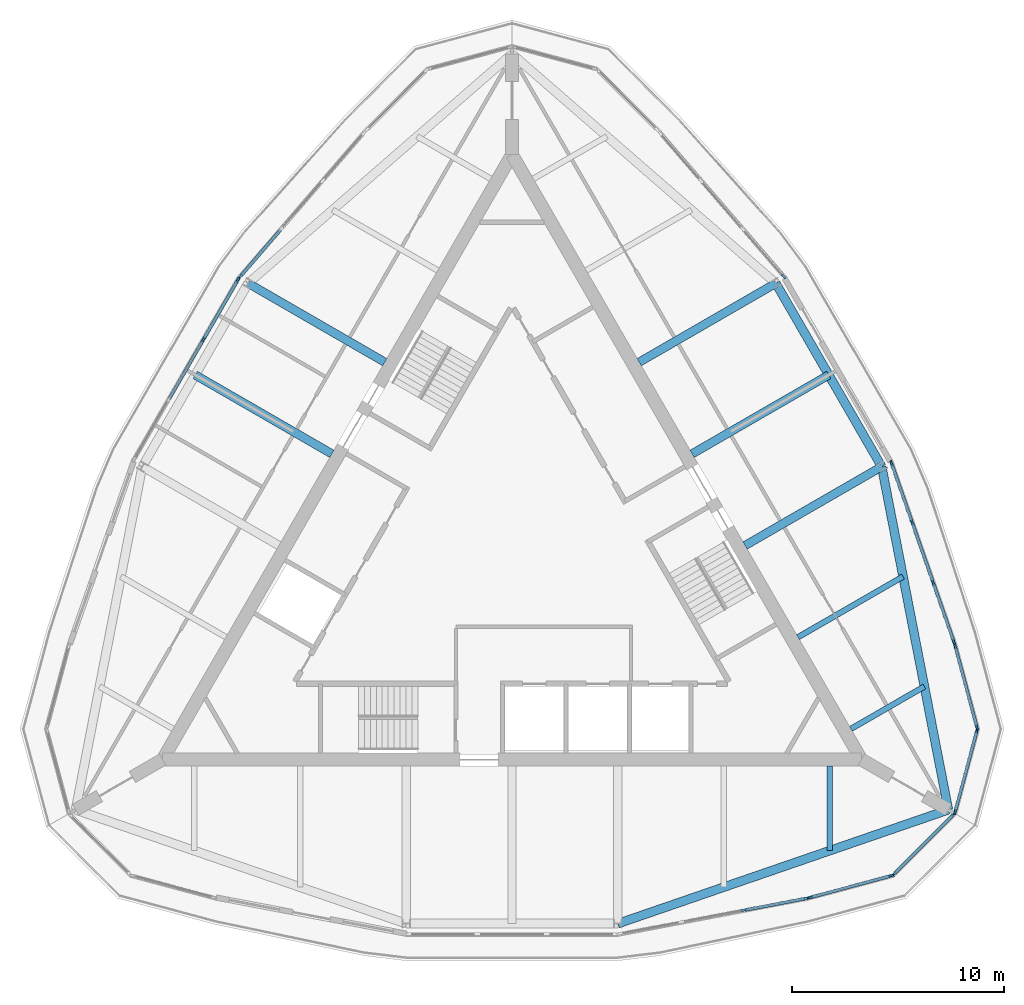
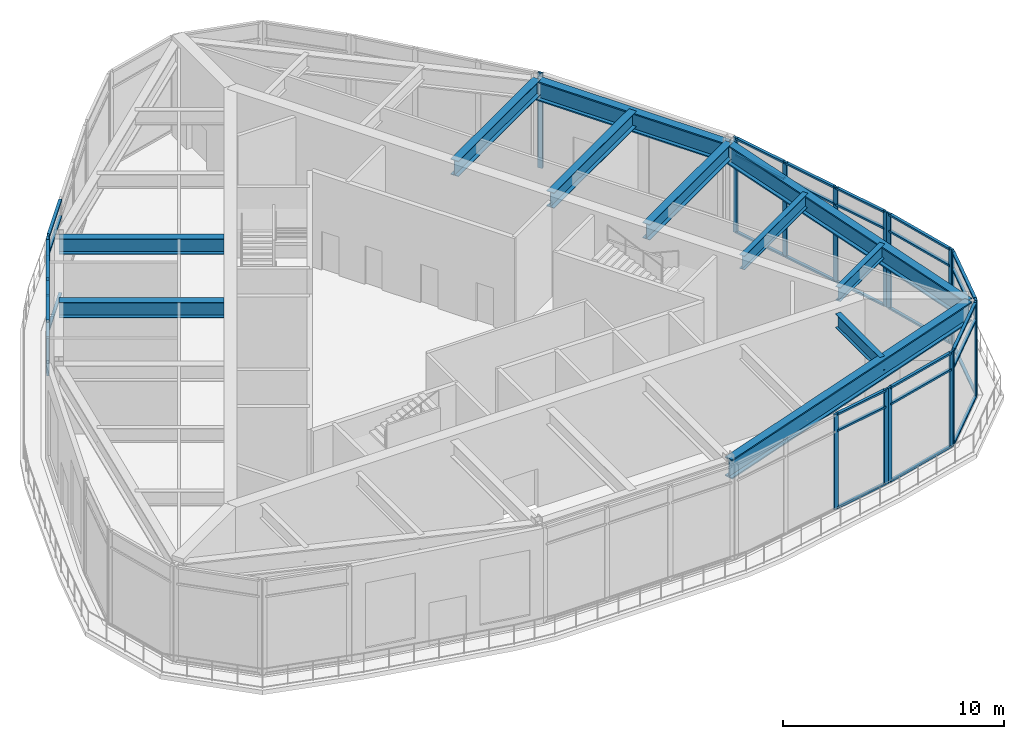
# One storey, part 2 of 9: 50 members, 11 beams, 9 elements without a shape of their own.
"""IFC4 building model written with IfcOpenShell, lengths in metres."""

from ifc_helpers import new_model, si_unit, direction, frame, origin, origin_2d, place, context, subcontext, project, spatial, rectangle, i_section, extrude, material, material_profile, profile_set, type_object, element, aggregate, save


model = new_model("IFC4")

# Units and contexts
model_context = context("Model", 3, precision=1e-05, world=origin(), true_north=direction((0.0, 1.0)))
body_context = subcontext(model_context, "Body", "Model", "MODEL_VIEW")
ifc_project = project(units=[si_unit("LENGTHUNIT", "METRE"), si_unit("AREAUNIT", "SQUARE_METRE"), si_unit("VOLUMEUNIT", "CUBIC_METRE"), si_unit("PLANEANGLEUNIT", "RADIAN"), si_unit("MASSUNIT", "GRAM", prefix="KILO")], contexts=[model_context])

# Site, building, storey
site_placement = place(None, origin())
site = spatial("IfcSite", under=ifc_project, at=site_placement, CompositionType="ELEMENT")
building_placement = place(site_placement, origin())
building = spatial("IfcBuilding", under=site, at=building_placement, Name="Trikona Tower", CompositionType="ELEMENT")
storey_placement = place(building_placement, frame((0.0, 0.0, 281.300048828125)))
storey = spatial("IfcBuildingStorey", under=building, at=storey_placement, Name="L74", CompositionType="ELEMENT", Elevation=281.300048828125)

# Curtain wall, members
ifc_material_1 = material(Name="Aluminium curtain wall system", Category="aluminium")
curtain_wall_type = type_object("IfcCurtainWallType", Name="Curtain wall OB", PredefinedType="NOTDEFINED", material=ifc_material_1)
curtain_wall_1_placement = place(storey_placement, origin())
curtain_wall_1 = element("IfcCurtainWall", 1, at=curtain_wall_1_placement, inside=storey, type_object=curtain_wall_type, Name="Curtain wall OB L74", PredefinedType="NOTDEFINED")
ifc_material_2 = material(Name="Aluminium mullion, pale anodised", Category="aluminium")
ifc_material_profile_1 = material_profile(ifc_material_2, rectangle(XDim=0.10009765625, YDim=0.25, at=origin_2d()), Name="MUL-OB")
ifc_profile_set_1 = profile_set([ifc_material_profile_1], Name="Aluminium mullion, pale anodised")
member_type_1 = type_object("IfcMemberType", Name="Mullion OB 100x250", PredefinedType="MULLION", material=ifc_profile_set_1)
member_1_placement = place(storey_placement, frame((10.961669921875, -16.641357421875, 0.0), z_axis=(0.0, 0.0, 1.0), x_axis=(-0.186660752571, 0.982424431419, 0.0)))
member_1 = element("IfcMember", 2, at=member_1_placement, type_object=member_type_1, Name="CW-OB mullion 3", PredefinedType="MULLION", context=body_context, shape_type="SweptSolid", body=[
    extrude(rectangle(XDim=0.10009765625, YDim=0.25, at=origin_2d()), origin(), (0.0, 0.0, 1.0), 5.25),
])
member_2_placement = place(storey_placement, frame((13.873291015625, -16.088134765625, 0.0), z_axis=(0.0, 0.0, 1.0), x_axis=(-0.186660752571, 0.982424431419, 0.0)))
member_2 = element("IfcMember", 3, at=member_2_placement, type_object=member_type_1, Name="CW-OB mullion 4", PredefinedType="MULLION", context=body_context, shape_type="SweptSolid", body=[
    extrude(rectangle(XDim=0.10009765625, YDim=0.25, at=origin_2d()), origin(), (0.0, 0.0, 1.0), 5.25),
])

curtain_wall_2_placement = place(storey_placement, origin())
curtain_wall_2 = element("IfcCurtainWall", 4, at=curtain_wall_2_placement, inside=storey, type_object=curtain_wall_type, Name="Curtain wall OB L74", PredefinedType="NOTDEFINED")
member_3_placement = place(storey_placement, frame((14.080322265625, -16.040771484375, 0.0), z_axis=(0.0, 0.0, 1.0), x_axis=(-0.258827918204, 0.965923448705, 0.0)))
member_3 = element("IfcMember", 5, at=member_3_placement, type_object=member_type_1, Name="CW-OB mullion 1", PredefinedType="MULLION", context=body_context, shape_type="SweptSolid", body=[
    extrude(rectangle(XDim=0.10009765625, YDim=0.25, at=origin_2d()), origin(), (0.0, 0.0, 1.0), 5.25),
])
member_4_placement = place(storey_placement, frame((17.909423828125, -15.0146484375, 0.0), z_axis=(0.0, 0.0, 1.0), x_axis=(-0.258827918204, 0.965923448705, 0.0)))
member_4 = element("IfcMember", 6, at=member_4_placement, type_object=member_type_1, Name="CW-OB mullion 2", PredefinedType="MULLION", context=body_context, shape_type="SweptSolid", body=[
    extrude(rectangle(XDim=0.10009765625, YDim=0.25, at=origin_2d()), origin(), (0.0, 0.0, 1.0), 5.25),
])

curtain_wall_3_placement = place(storey_placement, origin())
curtain_wall_3 = element("IfcCurtainWall", 7, at=curtain_wall_3_placement, inside=storey, type_object=curtain_wall_type, Name="Curtain wall OB L74", PredefinedType="NOTDEFINED")
member_5_placement = place(storey_placement, frame((18.048583984375, -14.934326171875, 0.0), z_axis=(0.0, 0.0, 1.0), x_axis=(-0.707106781187, 0.707106781187, 0.0)))
member_5 = element("IfcMember", 8, at=member_5_placement, type_object=member_type_1, Name="CW-OB mullion 1", PredefinedType="MULLION", context=body_context, shape_type="SweptSolid", body=[
    extrude(rectangle(XDim=0.10009765625, YDim=0.25, at=origin_2d()), origin(), (0.0, 0.0, 1.0), 5.25),
])
member_6_placement = place(storey_placement, frame((20.8515625, -12.13134765625, 0.0), z_axis=(0.0, 0.0, 1.0), x_axis=(-0.707106781187, 0.707106781187, 0.0)))
member_6 = element("IfcMember", 9, at=member_6_placement, type_object=member_type_1, Name="CW-OB mullion 2", PredefinedType="MULLION", context=body_context, shape_type="SweptSolid", body=[
    extrude(rectangle(XDim=0.10009765625, YDim=0.25, at=origin_2d()), origin(), (0.0, 0.0, 1.0), 5.25),
])

curtain_wall_4_placement = place(storey_placement, origin())
curtain_wall_4 = element("IfcCurtainWall", 10, at=curtain_wall_4_placement, inside=storey, type_object=curtain_wall_type, Name="Curtain wall OB L74", PredefinedType="NOTDEFINED")
member_7_placement = place(storey_placement, frame((20.931884765625, -11.9921875, 0.0), z_axis=(0.0, 0.0, 1.0), x_axis=(-0.965923448705, 0.258827918204, 0.0)))
member_7 = element("IfcMember", 11, at=member_7_placement, type_object=member_type_1, Name="CW-OB mullion 1", PredefinedType="MULLION", context=body_context, shape_type="SweptSolid", body=[
    extrude(rectangle(XDim=0.10009765625, YDim=0.25, at=origin_2d()), origin(), (0.0, 0.0, 1.0), 5.25),
])
member_8_placement = place(storey_placement, frame((21.957763671875, -8.163330078125, 0.0), z_axis=(0.0, 0.0, 1.0), x_axis=(-0.965923448705, 0.258827918204, 0.0)))
member_8 = element("IfcMember", 12, at=member_8_placement, type_object=member_type_1, Name="CW-OB mullion 2", PredefinedType="MULLION", context=body_context, shape_type="SweptSolid", body=[
    extrude(rectangle(XDim=0.10009765625, YDim=0.25, at=origin_2d()), origin(), (0.0, 0.0, 1.0), 5.25),
])

curtain_wall_5_placement = place(storey_placement, origin())
curtain_wall_5 = element("IfcCurtainWall", 13, at=curtain_wall_5_placement, inside=storey, type_object=curtain_wall_type, Name="Curtain wall OB L74", PredefinedType="NOTDEFINED")
member_9_placement = place(storey_placement, frame((21.957763671875, -8.00244140625, 0.0), z_axis=(0.0, 0.0, 1.0), x_axis=(-0.965921800259, -0.258834069983, 0.0)))
member_9 = element("IfcMember", 14, at=member_9_placement, type_object=member_type_1, Name="CW-OB mullion 1", PredefinedType="MULLION", context=body_context, shape_type="SweptSolid", body=[
    extrude(rectangle(XDim=0.10009765625, YDim=0.25, at=origin_2d()), origin(), (0.0, 0.0, 1.0), 5.25),
])
member_10_placement = place(storey_placement, frame((20.931884765625, -4.173583984375, 0.0), z_axis=(0.0, 0.0, 1.0), x_axis=(-0.965921800259, -0.258834069983, 0.0)))
member_10 = element("IfcMember", 15, at=member_10_placement, type_object=member_type_1, Name="CW-OB mullion 2", PredefinedType="MULLION", context=body_context, shape_type="SweptSolid", body=[
    extrude(rectangle(XDim=0.10009765625, YDim=0.25, at=origin_2d()), origin(), (0.0, 0.0, 1.0), 5.25),
])

curtain_wall_6_placement = place(storey_placement, origin())
curtain_wall_6 = element("IfcCurtainWall", 16, at=curtain_wall_6_placement, inside=storey, type_object=curtain_wall_type, Name="Curtain wall OB L74", PredefinedType="NOTDEFINED")
member_11_placement = place(storey_placement, frame((20.869384765625, -3.970703125, 0.0), z_axis=(0.0, 0.0, 1.0), x_axis=(-0.944137368145, -0.329552165935, 0.0)))
member_11 = element("IfcMember", 17, at=member_11_placement, type_object=member_type_1, Name="CW-OB mullion 1", PredefinedType="MULLION", context=body_context, shape_type="SweptSolid", body=[
    extrude(rectangle(XDim=0.10009765625, YDim=0.25, at=origin_2d()), origin(), (0.0, 0.0, 1.0), 5.25),
])
member_12_placement = place(storey_placement, frame((19.892578125, -1.17236328125, 0.0), z_axis=(0.0, 0.0, 1.0), x_axis=(-0.944137368145, -0.329552165935, 0.0)))
member_12 = element("IfcMember", 18, at=member_12_placement, type_object=member_type_1, Name="CW-OB mullion 2", PredefinedType="MULLION", context=body_context, shape_type="SweptSolid", body=[
    extrude(rectangle(XDim=0.10009765625, YDim=0.25, at=origin_2d()), origin(), (0.0, 0.0, 1.0), 5.25),
])
member_13_placement = place(storey_placement, frame((18.8994140625, 1.6728515625, 0.0), z_axis=(0.0, 0.0, 1.0), x_axis=(-0.944137368145, -0.329552165935, 0.0)))
member_13 = element("IfcMember", 19, at=member_13_placement, type_object=member_type_1, Name="CW-OB mullion 3", PredefinedType="MULLION", context=body_context, shape_type="SweptSolid", body=[
    extrude(rectangle(XDim=0.10009765625, YDim=0.25, at=origin_2d()), origin(), (0.0, 0.0, 1.0), 5.25),
])
member_14_placement = place(storey_placement, frame((17.9228515625, 4.470947265625, 0.0), z_axis=(0.0, 0.0, 1.0), x_axis=(-0.944137368145, -0.329552165935, 0.0)))
member_14 = element("IfcMember", 20, at=member_14_placement, type_object=member_type_1, Name="CW-OB mullion 4", PredefinedType="MULLION", context=body_context, shape_type="SweptSolid", body=[
    extrude(rectangle(XDim=0.10009765625, YDim=0.25, at=origin_2d()), origin(), (0.0, 0.0, 1.0), 5.25),
])

# Curtain wall, member
curtain_wall_7_placement = place(storey_placement, origin())
curtain_wall_7 = element("IfcCurtainWall", 21, at=curtain_wall_7_placement, inside=storey, type_object=curtain_wall_type, Name="Curtain wall OB L74", PredefinedType="NOTDEFINED")
member_15_placement = place(storey_placement, frame((12.833251953125, 13.2861328125, 0.0), z_axis=(0.0, 0.0, 1.0), x_axis=(-0.757475219973, -0.652863914707, 0.0)))
member_15 = element("IfcMember", 22, at=member_15_placement, type_object=member_type_1, Name="CW-OB mullion 1", PredefinedType="MULLION", context=body_context, shape_type="SweptSolid", body=[
    extrude(rectangle(XDim=0.10009765625, YDim=0.25, at=origin_2d()), origin(), (0.0, 0.0, 1.0), 5.25),
])
aggregate(curtain_wall_7, [member_15])

curtain_wall_8_placement = place(storey_placement, origin())
curtain_wall_8 = element("IfcCurtainWall", 23, at=curtain_wall_8_placement, inside=storey, type_object=curtain_wall_type, Name="Curtain wall OB L74", PredefinedType="NOTDEFINED")
member_16_placement = place(storey_placement, frame((-12.833251953125, 13.2861328125, 0.0), z_axis=(0.0, 0.0, 1.0), x_axis=(0.757475219973, -0.652863914707, 0.0)))
member_16 = element("IfcMember", 24, at=member_16_placement, type_object=member_type_1, Name="CW-OB mullion 4", PredefinedType="MULLION", context=body_context, shape_type="SweptSolid", body=[
    extrude(rectangle(XDim=0.10009765625, YDim=0.25, at=origin_2d()), origin(), (0.0, 0.0, 1.0), 5.25),
])

# Curtain wall, members
curtain_wall_9_placement = place(storey_placement, origin())
curtain_wall_9 = element("IfcCurtainWall", 25, at=curtain_wall_9_placement, inside=storey, type_object=curtain_wall_type, Name="Curtain wall OB L74", PredefinedType="NOTDEFINED")
member_17_placement = place(storey_placement, frame((-12.94921875, 13.122802734375, 0.0), z_axis=(0.0, 0.0, 1.0), x_axis=(0.866022089219, -0.500005740951, 0.0)))
member_17 = element("IfcMember", 26, at=member_17_placement, type_object=member_type_1, Name="CW-OB mullion 1", PredefinedType="MULLION", context=body_context, shape_type="SweptSolid", body=[
    extrude(rectangle(XDim=0.10009765625, YDim=0.25, at=origin_2d()), origin(), (0.0, 0.0, 1.0), 5.25),
])
member_18_placement = place(storey_placement, frame((-14.571044921875, 10.31396484375, 0.0), z_axis=(0.0, 0.0, 1.0), x_axis=(0.866022089219, -0.500005740951, 0.0)))
member_18 = element("IfcMember", 27, at=member_18_placement, type_object=member_type_1, Name="CW-OB mullion 2", PredefinedType="MULLION", context=body_context, shape_type="SweptSolid", body=[
    extrude(rectangle(XDim=0.10009765625, YDim=0.25, at=origin_2d()), origin(), (0.0, 0.0, 1.0), 5.25),
])

# Beams
ifc_material_3 = material(Name="Steel ASTM A992 Grade 50", Category="steel")
ifc_material_profile_2 = material_profile(ifc_material_3, i_section(OverallWidth=0.2666015625, OverallDepth=0.76953125, WebThickness=0.015625, FlangeThickness=0.025390625, at=origin_2d()), Name="W30X132")
ifc_profile_set_2 = profile_set([ifc_material_profile_2], Name="Steel ASTM A992 Grade 50")
beam_type_1 = type_object("IfcBeamType", Name="Steel beam W30x132 (wedge)", PredefinedType="BEAM", material=ifc_profile_set_2)
beam_1_placement = place(storey_placement, frame((15.0, -9.826416015625, 4.865234375), z_axis=(0.0, -1.0, 0.0), x_axis=(1.0, 0.0, 0.0)))
element("IfcBeam", 28, at=beam_1_placement, inside=storey, type_object=beam_type_1, Name="Floor beam L75 F1 u15", PredefinedType="BEAM", context=body_context, shape_type="SweptSolid", body=[
    extrude(i_section(OverallWidth=0.2666015625, OverallDepth=0.76953125, WebThickness=0.015625, FlangeThickness=0.025390625, at=origin_2d()), origin(), (0.0, 0.0, 1.0), 4.005126953125),
])
beam_2_placement = place(storey_placement, frame((16.009765625, -8.077392578125, 4.865234375), z_axis=(0.866025209122, 0.500000337164, 0.0), x_axis=(-0.500000337164, 0.866025209122, 0.0)))
element("IfcBeam", 29, at=beam_2_placement, inside=storey, type_object=beam_type_1, Name="Floor beam L75 F2 u-15", PredefinedType="BEAM", context=body_context, shape_type="SweptSolid", body=[
    extrude(i_section(OverallWidth=0.2666015625, OverallDepth=0.76953125, WebThickness=0.015625, FlangeThickness=0.025390625, at=origin_2d()), origin(), (0.0, 0.0, 1.0), 4.00537109375),
])
beam_3_placement = place(storey_placement, frame((13.509765625, -3.7470703125, 4.865234375), z_axis=(0.866025872957, 0.499999187369, 0.0), x_axis=(-0.499999187369, 0.866025872957, 0.0)))
element("IfcBeam", 30, at=beam_3_placement, inside=storey, type_object=beam_type_1, Name="Floor beam L75 F2 u-10", PredefinedType="BEAM", context=body_context, shape_type="SweptSolid", body=[
    extrude(i_section(OverallWidth=0.2666015625, OverallDepth=0.76953125, WebThickness=0.015625, FlangeThickness=0.025390625, at=origin_2d()), origin(), (0.0, 0.0, 1.0), 5.7275390625),
])
ifc_material_4 = material(Name="Steel ASTM A992 Grade 50", Category="steel")
ifc_material_profile_3 = material_profile(ifc_material_4, i_section(OverallWidth=0.398681640625, OverallDepth=0.85595703125, WebThickness=0.01806640625, FlangeThickness=0.029296875, at=origin_2d()), Name="W33X201")
ifc_profile_set_3 = profile_set([ifc_material_profile_3], Name="Steel ASTM A992 Grade 50")
beam_type_2 = type_object("IfcBeamType", Name="Steel beam W33x201 (top)", PredefinedType="BEAM", material=ifc_profile_set_3)
for number, where, z_axis, x_axis, name in (
    (31, (11.009765625, 0.5830078125, 4.822021484375), (0.866018036629, 0.50001276007, 0.0), (-0.50001276007, 0.866018036629, 0.0), "Floor beam L75 F2 u-5"),
    (32, (8.509765625, 4.9130859375, 4.822021484375), (0.866018036629, 0.50001276007, 0.0), (-0.50001276007, 0.866018036629, 0.0), "Floor beam L75 F2 u0"),
    (33, (6.009765625, 9.243408203125, 4.822021484375), (0.866032227741, 0.499988180375, 0.0), (-0.499988180375, 0.866032227741, 0.0), "Floor beam L75 F2 u5"),
    (34, (-6.009765625, 9.243408203125, 4.822021484375), (-0.866032227741, 0.499988180375, 0.0), (-0.499988180375, -0.866032227741, 0.0), "Floor beam L75 F3 u-5"),
    (35, (-8.509765625, 4.9130859375, 4.822021484375), (-0.866018036629, 0.50001276007, 0.0), (-0.50001276007, -0.866018036629, 0.0), "Floor beam L75 F3 u0"),
):
    element("IfcBeam", number, at=place(storey_placement, frame(where, z_axis=z_axis, x_axis=x_axis)), inside=storey, type_object=beam_type_2, Name=name, PredefinedType="BEAM", context=body_context, shape_type="SweptSolid", body=[
        extrude(i_section(OverallWidth=0.398681640625, OverallDepth=0.85595703125, WebThickness=0.01806640625, FlangeThickness=0.029296875, at=origin_2d()), origin(), (0.0, 0.0, 1.0), 7.449462890625),
    ])
ifc_material_5 = material(Name="Steel ASTM A992 Grade 50", Category="steel")
ifc_material_profile_4 = material_profile(ifc_material_5, i_section(OverallWidth=0.41650390625, OverallDepth=1.0693359375, WebThickness=0.0390625, FlangeThickness=0.070068359375, at=origin_2d()), Name="W40X503")
ifc_profile_set_4 = profile_set([ifc_material_profile_4], Name="Steel ASTM A992 Grade 50")
beam_type_3 = type_object("IfcBeamType", Name="Steel beam W40x503 (crown spandrel)", PredefinedType="SPANDREL", material=ifc_profile_set_4)
beam_4_placement = place(storey_placement, frame((5.0, -17.27587890625, 4.71533203125), z_axis=(0.945492661054, 0.325643406033, 0.0), x_axis=(-0.325643406033, 0.945492661054, 0.0)))
element("IfcBeam", 36, at=beam_4_placement, inside=storey, type_object=beam_type_3, Name="Spandrel beam L75 F1-3", PredefinedType="SPANDREL", context=body_context, shape_type="SweptSolid", body=[
    extrude(i_section(OverallWidth=0.41650390625, OverallDepth=1.0693359375, WebThickness=0.0390625, FlangeThickness=0.070068359375, at=origin_2d()), origin(), (0.0, 0.0, 1.0), 16.51025390625),
])
beam_5_placement = place(storey_placement, frame((20.6103515625, -11.8994140625, 4.71533203125), z_axis=(-0.190738651496, 0.981640854297, 0.0), x_axis=(-0.981640854297, -0.190738651496, 0.0)))
element("IfcBeam", 37, at=beam_5_placement, inside=storey, type_object=beam_type_3, Name="Spandrel beam L75 F2-1", PredefinedType="SPANDREL", context=body_context, shape_type="SweptSolid", body=[
    extrude(i_section(OverallWidth=0.41650390625, OverallDepth=1.0693359375, WebThickness=0.0390625, FlangeThickness=0.070068359375, at=origin_2d()), origin(), (0.0, 0.0, 1.0), 16.510498046875),
])
beam_6_placement = place(storey_placement, frame((17.461181640625, 4.307861328125, 4.71533203125), z_axis=(-0.500004234368, 0.866022959057, 0.0), x_axis=(-0.866022959057, -0.500004234368, 0.0)))
element("IfcBeam", 38, at=beam_6_placement, inside=storey, type_object=beam_type_3, Name="Spandrel beam L75 F2-2", PredefinedType="SPANDREL", context=body_context, shape_type="SweptSolid", body=[
    extrude(i_section(OverallWidth=0.41650390625, OverallDepth=1.0693359375, WebThickness=0.0390625, FlangeThickness=0.070068359375, at=origin_2d()), origin(), (0.0, 0.0, 1.0), 10.0),
])

# Member
ifc_material_6 = material(Name="Aluminium transom, pale anodised", Category="aluminium")
ifc_material_profile_5 = material_profile(ifc_material_6, rectangle(XDim=0.14990234375, YDim=0.10009765625, at=origin_2d()), Name="TRN-OB")
ifc_profile_set_5 = profile_set([ifc_material_profile_5], Name="Aluminium transom, pale anodised")
member_type_2 = type_object("IfcMemberType", Name="Transom OB 100x150", PredefinedType="USERDEFINED", material=ifc_profile_set_5)
member_19_placement = place(storey_placement, frame((11.0107421875, -16.632080078125, 0.050048828125), z_axis=(0.982417572475, 0.186696848639, 0.0), x_axis=(-0.186696848639, 0.982417572475, 0.0)))
member_19 = element("IfcMember", 39, at=member_19_placement, type_object=member_type_2, Name="CW-OB transom 3.1", ObjectType="TRANSOM", PredefinedType="USERDEFINED", context=body_context, shape_type="SweptSolid", body=[
    extrude(rectangle(XDim=0.14990234375, YDim=0.10009765625, at=origin_2d()), origin(), (0.0, 0.0, 1.0), 2.86376953125),
])

member_20_placement = place(storey_placement, frame((11.0107421875, -16.632080078125, 4.300048828125), z_axis=(0.982417572475, 0.186696848639, 0.0), x_axis=(-0.186696848639, 0.982417572475, 0.0)))
member_20 = element("IfcMember", 40, at=member_20_placement, type_object=member_type_2, Name="CW-OB transom 3.2", ObjectType="TRANSOM", PredefinedType="USERDEFINED", context=body_context, shape_type="SweptSolid", body=[
    extrude(rectangle(XDim=0.14990234375, YDim=0.10009765625, at=origin_2d()), origin(), (0.0, 0.0, 1.0), 2.86376953125),
])

member_21_placement = place(storey_placement, frame((11.0107421875, -16.632080078125, 5.199951171875), z_axis=(0.982417572475, 0.186696848639, 0.0), x_axis=(-0.186696848639, 0.982417572475, 0.0)))
member_21 = element("IfcMember", 41, at=member_21_placement, type_object=member_type_2, Name="CW-OB transom 3.3", ObjectType="TRANSOM", PredefinedType="USERDEFINED", context=body_context, shape_type="SweptSolid", body=[
    extrude(rectangle(XDim=0.14990234375, YDim=0.10009765625, at=origin_2d()), origin(), (0.0, 0.0, 1.0), 2.86376953125),
])

aggregate(curtain_wall_1, [member_1, member_2, member_19, member_20, member_21])

member_22_placement = place(storey_placement, frame((14.128662109375, -16.02783203125, 0.050048828125), z_axis=(0.965916463032, 0.258853986724, 0.0), x_axis=(-0.258853986724, 0.965916463032, 0.0)))
member_22 = element("IfcMember", 42, at=member_22_placement, type_object=member_type_2, Name="CW-OB transom 1.1", ObjectType="TRANSOM", PredefinedType="USERDEFINED", context=body_context, shape_type="SweptSolid", body=[
    extrude(rectangle(XDim=0.14990234375, YDim=0.10009765625, at=origin_2d()), origin(), (0.0, 0.0, 1.0), 3.864013671875),
])

member_23_placement = place(storey_placement, frame((14.128662109375, -16.02783203125, 4.300048828125), z_axis=(0.965916463032, 0.258853986724, 0.0), x_axis=(-0.258853986724, 0.965916463032, 0.0)))
member_23 = element("IfcMember", 43, at=member_23_placement, type_object=member_type_2, Name="CW-OB transom 1.2", ObjectType="TRANSOM", PredefinedType="USERDEFINED", context=body_context, shape_type="SweptSolid", body=[
    extrude(rectangle(XDim=0.14990234375, YDim=0.10009765625, at=origin_2d()), origin(), (0.0, 0.0, 1.0), 3.864013671875),
])

member_24_placement = place(storey_placement, frame((14.128662109375, -16.02783203125, 5.199951171875), z_axis=(0.965916463032, 0.258853986724, 0.0), x_axis=(-0.258853986724, 0.965916463032, 0.0)))
member_24 = element("IfcMember", 44, at=member_24_placement, type_object=member_type_2, Name="CW-OB transom 1.3", ObjectType="TRANSOM", PredefinedType="USERDEFINED", context=body_context, shape_type="SweptSolid", body=[
    extrude(rectangle(XDim=0.14990234375, YDim=0.10009765625, at=origin_2d()), origin(), (0.0, 0.0, 1.0), 3.864013671875),
])

aggregate(curtain_wall_2, [member_3, member_4, member_22, member_23, member_24])

member_25_placement = place(storey_placement, frame((18.083984375, -14.899169921875, 0.050048828125), z_axis=(0.707075189238, 0.707138371723, 0.0), x_axis=(-0.707138371723, 0.707075189238, 0.0)))
member_25 = element("IfcMember", 45, at=member_25_placement, type_object=member_type_2, Name="CW-OB transom 1.1", ObjectType="TRANSOM", PredefinedType="USERDEFINED", context=body_context, shape_type="SweptSolid", body=[
    extrude(rectangle(XDim=0.14990234375, YDim=0.10009765625, at=origin_2d()), origin(), (0.0, 0.0, 1.0), 3.864013671875),
])

member_26_placement = place(storey_placement, frame((18.083984375, -14.899169921875, 4.300048828125), z_axis=(0.707075189238, 0.707138371723, 0.0), x_axis=(-0.707138371723, 0.707075189238, 0.0)))
member_26 = element("IfcMember", 46, at=member_26_placement, type_object=member_type_2, Name="CW-OB transom 1.2", ObjectType="TRANSOM", PredefinedType="USERDEFINED", context=body_context, shape_type="SweptSolid", body=[
    extrude(rectangle(XDim=0.14990234375, YDim=0.10009765625, at=origin_2d()), origin(), (0.0, 0.0, 1.0), 3.864013671875),
])

member_27_placement = place(storey_placement, frame((18.083984375, -14.899169921875, 5.199951171875), z_axis=(0.707075189238, 0.707138371723, 0.0), x_axis=(-0.707138371723, 0.707075189238, 0.0)))
member_27 = element("IfcMember", 47, at=member_27_placement, type_object=member_type_2, Name="CW-OB transom 1.3", ObjectType="TRANSOM", PredefinedType="USERDEFINED", context=body_context, shape_type="SweptSolid", body=[
    extrude(rectangle(XDim=0.14990234375, YDim=0.10009765625, at=origin_2d()), origin(), (0.0, 0.0, 1.0), 3.864013671875),
])

aggregate(curtain_wall_3, [member_5, member_6, member_25, member_26, member_27])

member_28_placement = place(storey_placement, frame((20.94482421875, -11.944091796875, 0.050048828125), z_axis=(0.25879503742, 0.965932258808, 0.0), x_axis=(-0.965932258808, 0.25879503742, 0.0)))
member_28 = element("IfcMember", 48, at=member_28_placement, type_object=member_type_2, Name="CW-OB transom 1.1", ObjectType="TRANSOM", PredefinedType="USERDEFINED", context=body_context, shape_type="SweptSolid", body=[
    extrude(rectangle(XDim=0.14990234375, YDim=0.10009765625, at=origin_2d()), origin(), (0.0, 0.0, 1.0), 3.864013671875),
])

member_29_placement = place(storey_placement, frame((20.94482421875, -11.944091796875, 4.300048828125), z_axis=(0.25879503742, 0.965932258808, 0.0), x_axis=(-0.965932258808, 0.25879503742, 0.0)))
member_29 = element("IfcMember", 49, at=member_29_placement, type_object=member_type_2, Name="CW-OB transom 1.2", ObjectType="TRANSOM", PredefinedType="USERDEFINED", context=body_context, shape_type="SweptSolid", body=[
    extrude(rectangle(XDim=0.14990234375, YDim=0.10009765625, at=origin_2d()), origin(), (0.0, 0.0, 1.0), 3.864013671875),
])

member_30_placement = place(storey_placement, frame((20.94482421875, -11.944091796875, 5.199951171875), z_axis=(0.25879503742, 0.965932258808, 0.0), x_axis=(-0.965932258808, 0.25879503742, 0.0)))
member_30 = element("IfcMember", 50, at=member_30_placement, type_object=member_type_2, Name="CW-OB transom 1.3", ObjectType="TRANSOM", PredefinedType="USERDEFINED", context=body_context, shape_type="SweptSolid", body=[
    extrude(rectangle(XDim=0.14990234375, YDim=0.10009765625, at=origin_2d()), origin(), (0.0, 0.0, 1.0), 3.864013671875),
])

aggregate(curtain_wall_4, [member_7, member_8, member_28, member_29, member_30])

member_31_placement = place(storey_placement, frame((21.94482421875, -7.9541015625, 0.050048828125), z_axis=(-0.258810832585, 0.965928026789, 0.0), x_axis=(-0.965928026789, -0.258810832585, 0.0)))
member_31 = element("IfcMember", 51, at=member_31_placement, type_object=member_type_2, Name="CW-OB transom 1.1", ObjectType="TRANSOM", PredefinedType="USERDEFINED", context=body_context, shape_type="SweptSolid", body=[
    extrude(rectangle(XDim=0.14990234375, YDim=0.10009765625, at=origin_2d()), origin(), (0.0, 0.0, 1.0), 3.86376953125),
])

member_32_placement = place(storey_placement, frame((21.94482421875, -7.9541015625, 4.300048828125), z_axis=(-0.258810832585, 0.965928026789, 0.0), x_axis=(-0.965928026789, -0.258810832585, 0.0)))
member_32 = element("IfcMember", 52, at=member_32_placement, type_object=member_type_2, Name="CW-OB transom 1.2", ObjectType="TRANSOM", PredefinedType="USERDEFINED", context=body_context, shape_type="SweptSolid", body=[
    extrude(rectangle(XDim=0.14990234375, YDim=0.10009765625, at=origin_2d()), origin(), (0.0, 0.0, 1.0), 3.86376953125),
])

member_33_placement = place(storey_placement, frame((21.94482421875, -7.9541015625, 5.199951171875), z_axis=(-0.258810832585, 0.965928026789, 0.0), x_axis=(-0.965928026789, -0.258810832585, 0.0)))
member_33 = element("IfcMember", 53, at=member_33_placement, type_object=member_type_2, Name="CW-OB transom 1.3", ObjectType="TRANSOM", PredefinedType="USERDEFINED", context=body_context, shape_type="SweptSolid", body=[
    extrude(rectangle(XDim=0.14990234375, YDim=0.10009765625, at=origin_2d()), origin(), (0.0, 0.0, 1.0), 3.86376953125),
])

aggregate(curtain_wall_5, [member_9, member_10, member_31, member_32, member_33])

member_34_placement = place(storey_placement, frame((20.852783203125, -3.92333984375, 0.050048828125), z_axis=(-0.329522402008, 0.944147756749, 0.0), x_axis=(-0.944147756749, -0.329522402008, 0.0)))
member_34 = element("IfcMember", 54, at=member_34_placement, type_object=member_type_2, Name="CW-OB transom 1.1", ObjectType="TRANSOM", PredefinedType="USERDEFINED", context=body_context, shape_type="SweptSolid", body=[
    extrude(rectangle(XDim=0.14990234375, YDim=0.10009765625, at=origin_2d()), origin(), (0.0, 0.0, 1.0), 2.863525390625),
])

member_35_placement = place(storey_placement, frame((20.852783203125, -3.92333984375, 4.300048828125), z_axis=(-0.329522402008, 0.944147756749, 0.0), x_axis=(-0.944147756749, -0.329522402008, 0.0)))
member_35 = element("IfcMember", 55, at=member_35_placement, type_object=member_type_2, Name="CW-OB transom 1.2", ObjectType="TRANSOM", PredefinedType="USERDEFINED", context=body_context, shape_type="SweptSolid", body=[
    extrude(rectangle(XDim=0.14990234375, YDim=0.10009765625, at=origin_2d()), origin(), (0.0, 0.0, 1.0), 2.863525390625),
])

member_36_placement = place(storey_placement, frame((20.852783203125, -3.92333984375, 5.199951171875), z_axis=(-0.329522402008, 0.944147756749, 0.0), x_axis=(-0.944147756749, -0.329522402008, 0.0)))
member_36 = element("IfcMember", 56, at=member_36_placement, type_object=member_type_2, Name="CW-OB transom 1.3", ObjectType="TRANSOM", PredefinedType="USERDEFINED", context=body_context, shape_type="SweptSolid", body=[
    extrude(rectangle(XDim=0.14990234375, YDim=0.10009765625, at=origin_2d()), origin(), (0.0, 0.0, 1.0), 2.863525390625),
])

member_37_placement = place(storey_placement, frame((19.876220703125, -1.125244140625, 0.050048828125), z_axis=(-0.329544133465, 0.944140171849, 0.0), x_axis=(-0.944140171849, -0.329544133465, 0.0)))
member_37 = element("IfcMember", 57, at=member_37_placement, type_object=member_type_2, Name="CW-OB transom 2.1", ObjectType="TRANSOM", PredefinedType="USERDEFINED", context=body_context, shape_type="SweptSolid", body=[
    extrude(rectangle(XDim=0.14990234375, YDim=0.10009765625, at=origin_2d()), origin(), (0.0, 0.0, 1.0), 2.913818359375),
])

member_38_placement = place(storey_placement, frame((19.876220703125, -1.125244140625, 4.300048828125), z_axis=(-0.329544133465, 0.944140171849, 0.0), x_axis=(-0.944140171849, -0.329544133465, 0.0)))
member_38 = element("IfcMember", 58, at=member_38_placement, type_object=member_type_2, Name="CW-OB transom 2.2", ObjectType="TRANSOM", PredefinedType="USERDEFINED", context=body_context, shape_type="SweptSolid", body=[
    extrude(rectangle(XDim=0.14990234375, YDim=0.10009765625, at=origin_2d()), origin(), (0.0, 0.0, 1.0), 2.913818359375),
])

member_39_placement = place(storey_placement, frame((19.876220703125, -1.125244140625, 5.199951171875), z_axis=(-0.329544133465, 0.944140171849, 0.0), x_axis=(-0.944140171849, -0.329544133465, 0.0)))
member_39 = element("IfcMember", 59, at=member_39_placement, type_object=member_type_2, Name="CW-OB transom 2.3", ObjectType="TRANSOM", PredefinedType="USERDEFINED", context=body_context, shape_type="SweptSolid", body=[
    extrude(rectangle(XDim=0.14990234375, YDim=0.10009765625, at=origin_2d()), origin(), (0.0, 0.0, 1.0), 2.913818359375),
])

member_40_placement = place(storey_placement, frame((18.883056640625, 1.719970703125, 0.050048828125), z_axis=(-0.329571871193, 0.944130489773, 0.0), x_axis=(-0.944130489773, -0.329571871193, 0.0)))
member_40 = element("IfcMember", 60, at=member_40_placement, type_object=member_type_2, Name="CW-OB transom 3.1", ObjectType="TRANSOM", PredefinedType="USERDEFINED", context=body_context, shape_type="SweptSolid", body=[
    extrude(rectangle(XDim=0.14990234375, YDim=0.10009765625, at=origin_2d()), origin(), (0.0, 0.0, 1.0), 2.86376953125),
])

member_41_placement = place(storey_placement, frame((18.883056640625, 1.719970703125, 4.300048828125), z_axis=(-0.329571871193, 0.944130489773, 0.0), x_axis=(-0.944130489773, -0.329571871193, 0.0)))
member_41 = element("IfcMember", 61, at=member_41_placement, type_object=member_type_2, Name="CW-OB transom 3.2", ObjectType="TRANSOM", PredefinedType="USERDEFINED", context=body_context, shape_type="SweptSolid", body=[
    extrude(rectangle(XDim=0.14990234375, YDim=0.10009765625, at=origin_2d()), origin(), (0.0, 0.0, 1.0), 2.86376953125),
])

member_42_placement = place(storey_placement, frame((18.883056640625, 1.719970703125, 5.199951171875), z_axis=(-0.329571871193, 0.944130489773, 0.0), x_axis=(-0.944130489773, -0.329571871193, 0.0)))
member_42 = element("IfcMember", 62, at=member_42_placement, type_object=member_type_2, Name="CW-OB transom 3.3", ObjectType="TRANSOM", PredefinedType="USERDEFINED", context=body_context, shape_type="SweptSolid", body=[
    extrude(rectangle(XDim=0.14990234375, YDim=0.10009765625, at=origin_2d()), origin(), (0.0, 0.0, 1.0), 2.86376953125),
])

aggregate(curtain_wall_6, [member_11, member_12, member_13, member_14, member_34, member_35, member_36, member_37, member_38, member_39, member_40, member_41, member_42])

member_43_placement = place(storey_placement, frame((-10.93115234375, 15.4931640625, 0.050048828125), z_axis=(-0.65286710173, -0.757472473083, 0.0), x_axis=(0.757472473083, -0.65286710173, 0.0)))
member_43 = element("IfcMember", 63, at=member_43_placement, type_object=member_type_2, Name="CW-OB transom 3.1", ObjectType="TRANSOM", PredefinedType="USERDEFINED", context=body_context, shape_type="SweptSolid", body=[
    extrude(rectangle(XDim=0.14990234375, YDim=0.10009765625, at=origin_2d()), origin(), (0.0, 0.0, 1.0), 2.86376953125),
])

member_44_placement = place(storey_placement, frame((-10.93115234375, 15.4931640625, 4.300048828125), z_axis=(-0.65286710173, -0.757472473083, 0.0), x_axis=(0.757472473083, -0.65286710173, 0.0)))
member_44 = element("IfcMember", 64, at=member_44_placement, type_object=member_type_2, Name="CW-OB transom 3.2", ObjectType="TRANSOM", PredefinedType="USERDEFINED", context=body_context, shape_type="SweptSolid", body=[
    extrude(rectangle(XDim=0.14990234375, YDim=0.10009765625, at=origin_2d()), origin(), (0.0, 0.0, 1.0), 2.86376953125),
])

member_45_placement = place(storey_placement, frame((-10.93115234375, 15.4931640625, 5.199951171875), z_axis=(-0.65286710173, -0.757472473083, 0.0), x_axis=(0.757472473083, -0.65286710173, 0.0)))
member_45 = element("IfcMember", 65, at=member_45_placement, type_object=member_type_2, Name="CW-OB transom 3.3", ObjectType="TRANSOM", PredefinedType="USERDEFINED", context=body_context, shape_type="SweptSolid", body=[
    extrude(rectangle(XDim=0.14990234375, YDim=0.10009765625, at=origin_2d()), origin(), (0.0, 0.0, 1.0), 2.86376953125),
])

aggregate(curtain_wall_8, [member_16, member_43, member_44, member_45])

member_46_placement = place(storey_placement, frame((-12.974365234375, 13.079345703125, 0.050048828125), z_axis=(-0.499973465047, -0.866040723205, 0.0), x_axis=(0.866040723205, -0.499973465047, 0.0)))
member_46 = element("IfcMember", 66, at=member_46_placement, type_object=member_type_2, Name="CW-OB transom 1.1", ObjectType="TRANSOM", PredefinedType="USERDEFINED", context=body_context, shape_type="SweptSolid", body=[
    extrude(rectangle(XDim=0.14990234375, YDim=0.10009765625, at=origin_2d()), origin(), (0.0, 0.0, 1.0), 3.143310546875),
])

member_47_placement = place(storey_placement, frame((-12.974365234375, 13.079345703125, 4.300048828125), z_axis=(-0.499973465047, -0.866040723205, 0.0), x_axis=(0.866040723205, -0.499973465047, 0.0)))
member_47 = element("IfcMember", 67, at=member_47_placement, type_object=member_type_2, Name="CW-OB transom 1.2", ObjectType="TRANSOM", PredefinedType="USERDEFINED", context=body_context, shape_type="SweptSolid", body=[
    extrude(rectangle(XDim=0.14990234375, YDim=0.10009765625, at=origin_2d()), origin(), (0.0, 0.0, 1.0), 3.143310546875),
])

member_48_placement = place(storey_placement, frame((-12.974365234375, 13.079345703125, 5.199951171875), z_axis=(-0.499973465047, -0.866040723205, 0.0), x_axis=(0.866040723205, -0.499973465047, 0.0)))
member_48 = element("IfcMember", 68, at=member_48_placement, type_object=member_type_2, Name="CW-OB transom 1.3", ObjectType="TRANSOM", PredefinedType="USERDEFINED", context=body_context, shape_type="SweptSolid", body=[
    extrude(rectangle(XDim=0.14990234375, YDim=0.10009765625, at=origin_2d()), origin(), (0.0, 0.0, 1.0), 3.143310546875),
])

member_49_placement = place(storey_placement, frame((-14.595947265625, 10.270751953125, 4.300048828125), z_axis=(-0.499987164874, -0.866032814021, 0.0), x_axis=(0.866032814021, -0.499987164874, 0.0)))
member_49 = element("IfcMember", 69, at=member_49_placement, type_object=member_type_2, Name="CW-OB transom 2.2", ObjectType="TRANSOM", PredefinedType="USERDEFINED", context=body_context, shape_type="SweptSolid", body=[
    extrude(rectangle(XDim=0.14990234375, YDim=0.10009765625, at=origin_2d()), origin(), (0.0, 0.0, 1.0), 3.193359375),
])

member_50_placement = place(storey_placement, frame((-14.595947265625, 10.270751953125, 5.199951171875), z_axis=(-0.499987164874, -0.866032814021, 0.0), x_axis=(0.866032814021, -0.499987164874, 0.0)))
member_50 = element("IfcMember", 70, at=member_50_placement, type_object=member_type_2, Name="CW-OB transom 2.3", ObjectType="TRANSOM", PredefinedType="USERDEFINED", context=body_context, shape_type="SweptSolid", body=[
    extrude(rectangle(XDim=0.14990234375, YDim=0.10009765625, at=origin_2d()), origin(), (0.0, 0.0, 1.0), 3.193359375),
])

aggregate(curtain_wall_9, [member_17, member_18, member_46, member_47, member_48, member_49, member_50])

save(model, "model.ifc")
